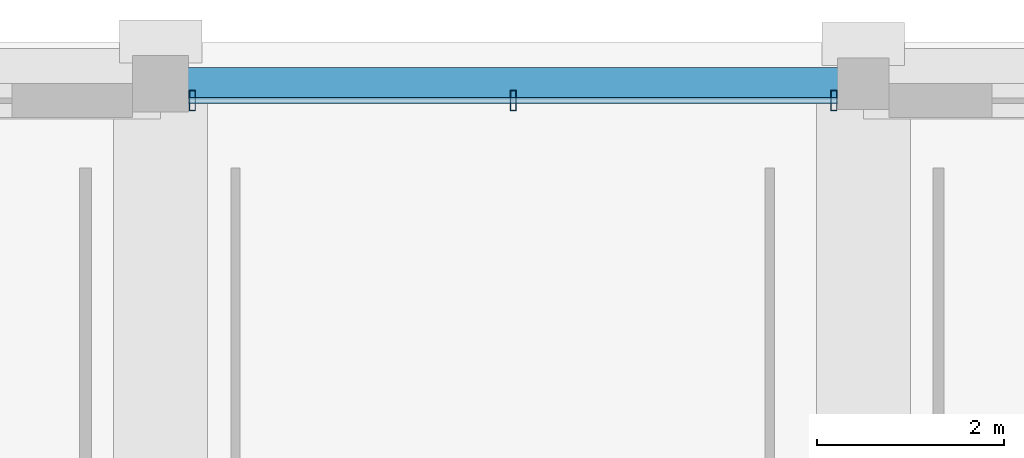
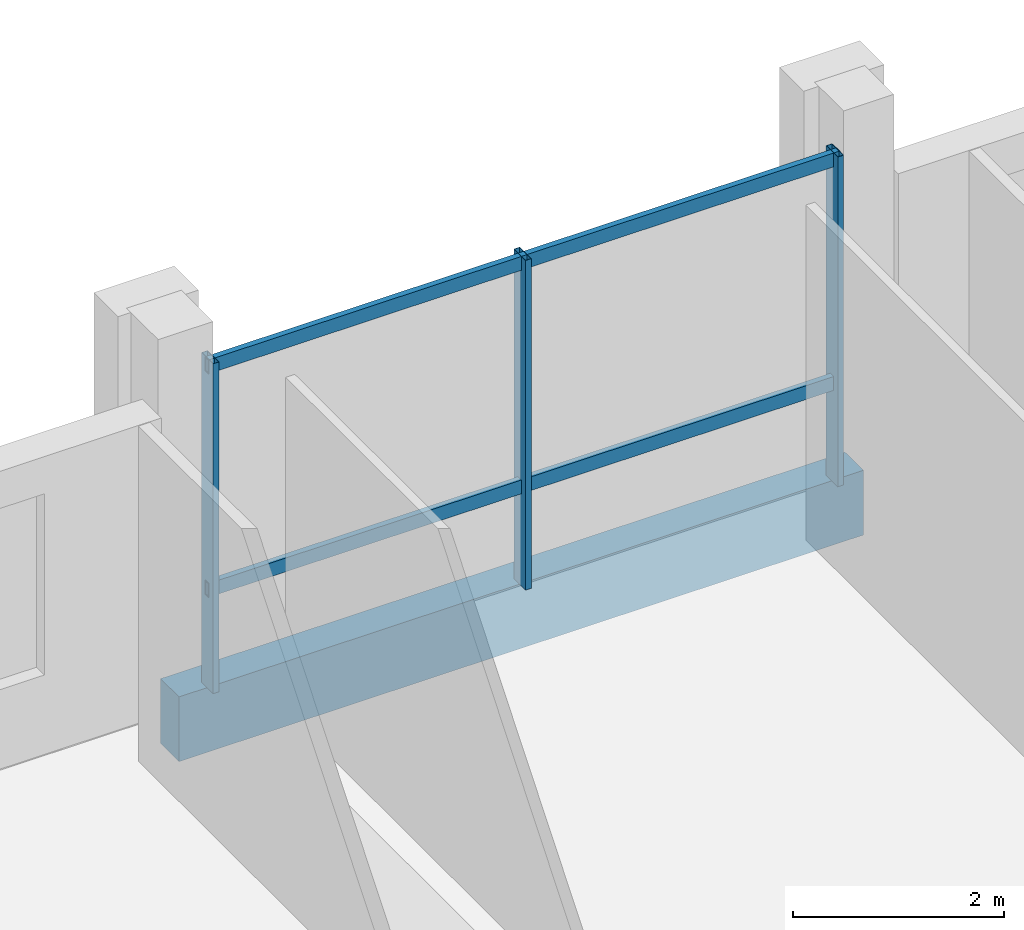
# One storey, part 32 of 68: 5 members, 1 beam, 1 element without a shape of its own.
"""IFC4 building model written with IfcOpenShell, lengths in metres."""

from ifc_helpers import new_model, si_unit, direction, frame, origin, origin_2d, place, context, subcontext, project, spatial, rectangle, hollow_rectangle, extrude, material, material_profile, profile_set, type_object, element, aggregate, save


model = new_model("IFC4")

# Units and contexts
model_context = context("Model", 3, precision=1e-05, world=origin(), true_north=direction((0.0, 1.0)))
body_context = subcontext(model_context, "Body", "Model", "MODEL_VIEW")
ifc_project = project(units=[si_unit("LENGTHUNIT", "METRE"), si_unit("AREAUNIT", "SQUARE_METRE"), si_unit("VOLUMEUNIT", "CUBIC_METRE"), si_unit("PLANEANGLEUNIT", "RADIAN"), si_unit("MASSUNIT", "GRAM", prefix="KILO")], contexts=[model_context])

# Site, building, storey
site_placement = place(None, origin())
site = spatial("IfcSite", under=ifc_project, at=site_placement, CompositionType="ELEMENT")
building_placement = place(site_placement, origin())
building = spatial("IfcBuilding", under=site, at=building_placement, Name="Akrevak Sports Hall", CompositionType="ELEMENT")
storey_placement = place(building_placement, frame((0.0, 0.0, 9.39990234375)))
storey = spatial("IfcBuildingStorey", under=building, at=storey_placement, Name="L02", CompositionType="ELEMENT", Elevation=9.39990234375)

# Curtain wall, members
ifc_material_1 = material(Name="Anodized Bronze Aluminium & Low-E Glass", Category="aluminium")
curtain_wall_type = type_object("IfcCurtainWallType", Name="ARC-CW-POD-70x42", PredefinedType="NOTDEFINED", material=ifc_material_1)
curtain_wall_placement = place(storey_placement, origin())
curtain_wall = element("IfcCurtainWall", 1, at=curtain_wall_placement, inside=storey, type_object=curtain_wall_type, Name="Curtain Wall CW-L02-N15", PredefinedType="NOTDEFINED")
ifc_material_2 = material(Name="Anodized Bronze Aluminium", Category="aluminium")
ifc_material_profile_1 = material_profile(ifc_material_2, hollow_rectangle(XDim=0.06494140625, YDim=0.219970703125, WallThickness=0.00439453125, at=origin_2d()), Name="CWM 65x220", Category="aluminium")
ifc_profile_set_1 = profile_set([ifc_material_profile_1], Name="Anodized Bronze Aluminium")
member_type_1 = type_object("IfcMemberType", Name="ARC-CWM-70x160", PredefinedType="MULLION", material=ifc_profile_set_1)
member_1_placement = place(storey_placement, frame((115.18505859375, 113.820068359375, 0.0), z_axis=(0.0, 0.0, 1.0), x_axis=(-1.0, 0.0, 0.0)))
member_1 = element("IfcMember", 2, at=member_1_placement, type_object=member_type_1, Name="Curtain Wall Mullion CW-L02-N15-M1", PredefinedType="MULLION", context=body_context, shape_type="SweptSolid", body=[
    extrude(hollow_rectangle(XDim=0.06494140625, YDim=0.219970703125, WallThickness=0.00439453125, at=origin_2d()), origin(), (0.0, 0.0, 1.0), 3.820068359375),
])
member_2_placement = place(storey_placement, frame((111.762451171875, 113.820068359375, 0.0), z_axis=(0.0, 0.0, 1.0), x_axis=(-1.0, 0.0, 0.0)))
member_2 = element("IfcMember", 3, at=member_2_placement, type_object=member_type_1, Name="Curtain Wall Mullion CW-L02-N15-M2", PredefinedType="MULLION", context=body_context, shape_type="SweptSolid", body=[
    extrude(hollow_rectangle(XDim=0.06494140625, YDim=0.219970703125, WallThickness=0.00439453125, at=origin_2d()), origin(), (0.0, 0.0, 1.0), 3.820068359375),
])
member_3_placement = place(storey_placement, frame((108.340087890625, 113.820068359375, 0.0), z_axis=(0.0, 0.0, 1.0), x_axis=(-1.0, 0.0, 0.0)))
member_3 = element("IfcMember", 4, at=member_3_placement, type_object=member_type_1, Name="Curtain Wall Mullion CW-L02-N15-M3", PredefinedType="MULLION", context=body_context, shape_type="SweptSolid", body=[
    extrude(hollow_rectangle(XDim=0.06494140625, YDim=0.219970703125, WallThickness=0.00439453125, at=origin_2d()), origin(), (0.0, 0.0, 1.0), 3.820068359375),
])
ifc_material_profile_2 = material_profile(ifc_material_2, hollow_rectangle(XDim=0.06494140625, YDim=0.159912109375, WallThickness=0.00390625, at=origin_2d()), Name="CWT 65x160", Category="aluminium")
ifc_profile_set_2 = profile_set([ifc_material_profile_2], Name="Anodized Bronze Aluminium")
member_type_2 = type_object("IfcMemberType", Name="ARC-CWT-70x130", PredefinedType="USERDEFINED", material=ifc_profile_set_2)
member_4_placement = place(storey_placement, frame((115.22509765625, 113.820068359375, 1.150146484375), z_axis=(-1.0, 0.0, 0.0), x_axis=(0.0, -1.0, 0.0)))
member_4 = element("IfcMember", 5, at=member_4_placement, type_object=member_type_2, Name="Curtain Wall Transom CW-L02-N15-T1", ObjectType="TRANSOM", PredefinedType="USERDEFINED", context=body_context, shape_type="SweptSolid", body=[
    extrude(hollow_rectangle(XDim=0.06494140625, YDim=0.159912109375, WallThickness=0.00390625, at=origin_2d()), origin(), (0.0, 0.0, 1.0), 6.925048828125),
])
member_5_placement = place(storey_placement, frame((115.22509765625, 113.820068359375, 3.739990234375), z_axis=(-1.0, 0.0, 0.0), x_axis=(0.0, -1.0, 0.0)))
member_5 = element("IfcMember", 6, at=member_5_placement, type_object=member_type_2, Name="Curtain Wall Transom CW-L02-N15-T2", ObjectType="TRANSOM", PredefinedType="USERDEFINED", context=body_context, shape_type="SweptSolid", body=[
    extrude(hollow_rectangle(XDim=0.06494140625, YDim=0.159912109375, WallThickness=0.00390625, at=origin_2d()), origin(), (0.0, 0.0, 1.0), 6.925048828125),
])
aggregate(curtain_wall, [member_1, member_2, member_3, member_4, member_5])

# Beam
ifc_material_3 = material(Name="Concrete C40/50", Category="concrete")
ifc_material_profile_3 = material_profile(ifc_material_3, rectangle(XDim=0.35009765625, YDim=0.75, at=origin_2d()), Name="SPD 350x750", Category="concrete")
ifc_profile_set_3 = profile_set([ifc_material_profile_3], Name="Concrete C40/50")
beam_type = type_object("IfcBeamType", Name="STR-SPD-RC350x750", PredefinedType="SPANDREL", material=ifc_profile_set_3)
beam_placement = place(storey_placement, frame((108.0, 114.0, -0.375), z_axis=(1.0, 0.0, 0.0), x_axis=(0.0, 1.0, 0.0)))
element("IfcBeam", 7, at=beam_placement, inside=storey, type_object=beam_type, Name="Girder Q/15-16 (L02)", PredefinedType="SPANDREL", context=body_context, shape_type="SweptSolid", body=[
    extrude(rectangle(XDim=0.35009765625, YDim=0.75, at=origin_2d()), origin(), (0.0, 0.0, 1.0), 7.5),
])

save(model, "model.ifc")
